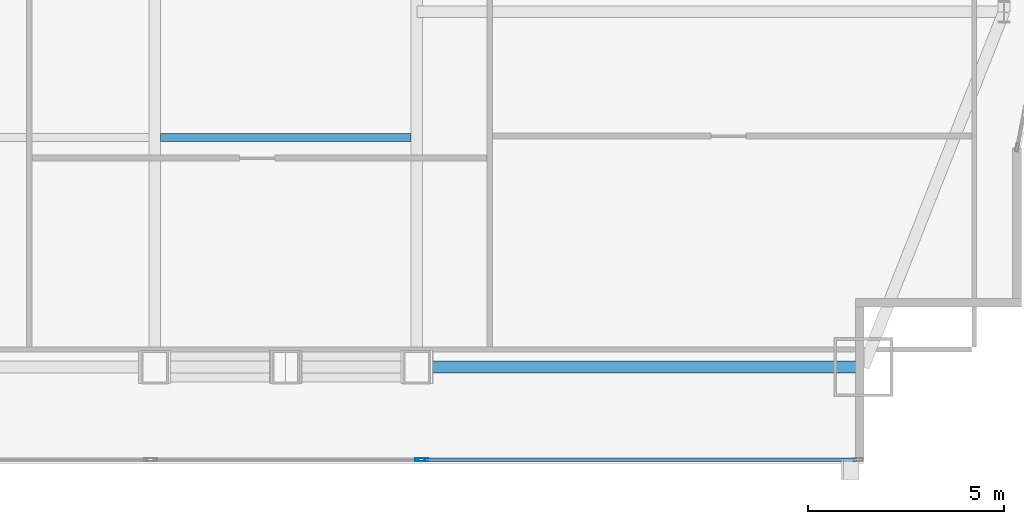
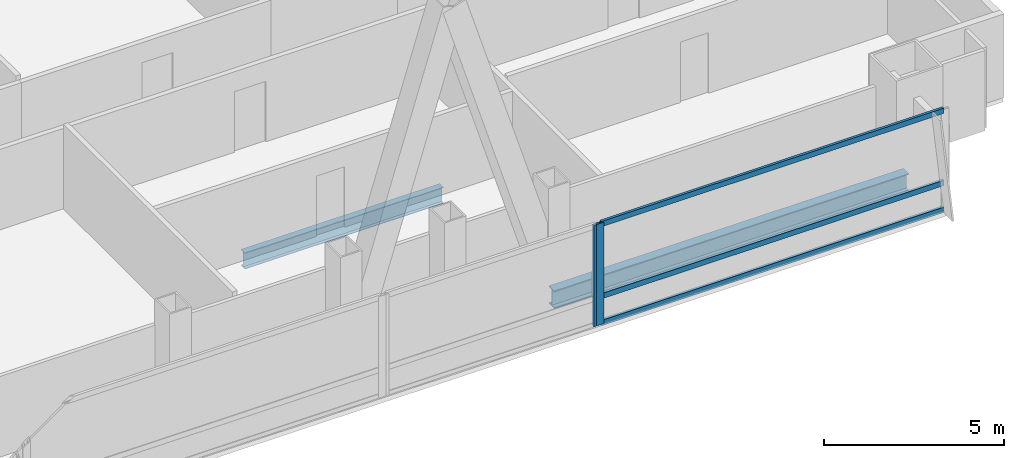
# One storey, part 15 of 33: 5 members, 2 beams, 2 elements without a shape of their own.
"""IFC4 building model written with IfcOpenShell, lengths in metres."""

import ifcopenshell
import ifcopenshell.guid

model = None  # the IFC model being written
_history = None  # IfcOwnerHistory: only IFC2X3 demands one
_inside = {}  # id of a spatial element -> (the spatial element, [elements in it])
_under = {}  # id of a project, library or spatial element -> (it, [spatial elements below it])
_declared = {}  # id of a project -> (the project, [libraries it declares])
_typed = {}  # id of a type object -> (the type object, [elements of that type])
_made_of = {}  # id of a material, layer set ... -> (it, [elements and type objects made of it])


def new_model(schema):
    """Start an empty IFC model of exactly this schema.

    Asked for "IFC4X3", IfcOpenShell would pick the latest addendum, in which some entities
    have other attributes; the version numbers below select the first issue.
    IFC2X3 requires an IfcOwnerHistory on every rooted entity: one is made here for all.
    """
    global model, _history
    if schema == "IFC4X3":
        model = ifcopenshell.file(schema_version=(4, 3, 0, 0))
    else:
        model = ifcopenshell.file(schema=schema)
    _inside.clear()
    _under.clear()
    _declared.clear()
    _typed.clear()
    _made_of.clear()
    _history = None
    if model.schema == "IFC2X3":
        org = make("IfcOrganization", Name="unknown")
        user = make(
            "IfcPersonAndOrganization",
            ThePerson=make("IfcPerson", FamilyName="unknown"),
            TheOrganization=org,
        )
        app = make(
            "IfcApplication",
            ApplicationDeveloper=org,
            Version="unknown",
            ApplicationFullName="unknown",
            ApplicationIdentifier="unknown",
        )
        _history = make(
            "IfcOwnerHistory",
            OwningUser=user,
            OwningApplication=app,
            ChangeAction="ADDED",
            CreationDate=0,
        )
    return model


def make(cls, **values):
    """One entity of the class cls with the attributes given. An attribute that is None is left unset."""
    return model.create_entity(
        cls, **{name: value for name, value in values.items() if value is not None}
    )


def rooted(cls, **values):
    """An entity with a GlobalId (a new one), such as an element, a storey or a relation."""
    return make(cls, GlobalId=ifcopenshell.guid.new(), OwnerHistory=_history, **values)


def si_unit(unit_type, name, prefix=None):
    """IfcSIUnit, for example si_unit("LENGTHUNIT", "METRE", prefix="MILLI")."""
    return make("IfcSIUnit", UnitType=unit_type, Prefix=prefix, Name=name)


def assignment(units):
    """IfcUnitAssignment: the units of a project."""
    return None if units is None else make("IfcUnitAssignment", Units=units)


def point(xyz):
    """IfcCartesianPoint."""
    return None if xyz is None else make("IfcCartesianPoint", Coordinates=xyz)


def direction(xyz):
    """IfcDirection."""
    return None if xyz is None else make("IfcDirection", DirectionRatios=xyz)


def frame(location, z_axis=None, x_axis=None):
    """IfcAxis2Placement3D, a coordinate frame: its origin and axes. An axis left out is left unset."""
    return make(
        "IfcAxis2Placement3D",
        Location=point(location),
        Axis=direction(z_axis),
        RefDirection=direction(x_axis),
    )


def frame_2d(location, x_axis=None):
    """IfcAxis2Placement2D, a coordinate frame in the plane: its origin and x axis."""
    return make(
        "IfcAxis2Placement2D", Location=point(location), RefDirection=direction(x_axis)
    )


def origin():
    """The frame at (0, 0, 0) with its axes left unset."""
    return frame((0.0, 0.0, 0.0))


def origin_2d():
    """The frame at (0, 0) in the plane with its x axis left unset."""
    return frame_2d((0.0, 0.0))


def place(relative_to, where):
    """IfcLocalPlacement: puts the frame where relative to a parent placement (None: the world)."""
    return make(
        "IfcLocalPlacement", PlacementRelTo=relative_to, RelativePlacement=where
    )


def context(
    kind, dimensions, precision=None, world=None, true_north=None, identifier=None
):
    """IfcGeometricRepresentationContext, for example the 3D "Model" context."""
    return make(
        "IfcGeometricRepresentationContext",
        ContextIdentifier=identifier,
        ContextType=kind,
        CoordinateSpaceDimension=dimensions,
        Precision=precision,
        WorldCoordinateSystem=world,
        TrueNorth=true_north,
    )


def subcontext(parent, identifier, kind, view, scale=None):
    """IfcGeometricRepresentationSubContext, for example "Body" below "Model"."""
    return make(
        "IfcGeometricRepresentationSubContext",
        ContextIdentifier=identifier,
        ContextType=kind,
        ParentContext=parent,
        TargetScale=scale,
        TargetView=view,
    )


def project(units=None, contexts=None):
    """IfcProject with its units and contexts."""
    return rooted(
        "IfcProject",
        Name="project",
        RepresentationContexts=contexts,
        UnitsInContext=assignment(units),
    )


def spatial(cls, under=None, at=None, **own):
    """A site, building, storey or space (cls), placed at a placement, below another one or the project."""
    s = rooted(cls, ObjectPlacement=at, **own)
    if under is not None:
        _under.setdefault(under.id(), (under, []))[1].append(s)
    return s


def profile(cls, at=None, kind="AREA", **sizes):
    """A parametric profile (cls). Its sizes go by their IFC names, for example OverallWidth=200.0."""
    return make(cls, ProfileType=kind, Position=at, **sizes)


def hollow_rectangle(**sizes):
    """IfcRectangleHollowProfileDef."""
    return profile("IfcRectangleHollowProfileDef", **sizes)


def i_section(**sizes):
    """IfcIShapeProfileDef."""
    return profile("IfcIShapeProfileDef", **sizes)


def extrude(swept, where, along, depth):
    """IfcExtrudedAreaSolid: the profile swept, set in the frame where, extruded along a direction by depth."""
    return make(
        "IfcExtrudedAreaSolid",
        SweptArea=swept,
        Position=where,
        ExtrudedDirection=direction(along),
        Depth=depth,
    )


def shape(context_of_items, identifier, shape_type, items):
    """IfcShapeRepresentation: the items that make up one representation, for example the "Body"."""
    return make(
        "IfcShapeRepresentation",
        ContextOfItems=context_of_items,
        RepresentationIdentifier=identifier,
        RepresentationType=shape_type,
        Items=items,
    )


def material(Name=None, Category=None):
    """IfcMaterial."""
    return make("IfcMaterial", Name=Name, Category=Category)


def material_profile(
    of_material, cross_section, Name=None, Category=None, Priority=None
):
    """IfcMaterialProfile: a cross section and its material."""
    return make(
        "IfcMaterialProfile",
        Name=Name,
        Material=of_material,
        Profile=cross_section,
        Priority=Priority,
        Category=Category,
    )


def profile_set(profiles, Name=None, composite=None):
    """IfcMaterialProfileSet."""
    return make(
        "IfcMaterialProfileSet",
        Name=Name,
        MaterialProfiles=profiles,
        CompositeProfile=composite,
    )


def made_of(thing, what):
    """Note that an element or type object is made of a material, layer set ...; save() writes the relation."""
    if what is not None:
        _made_of.setdefault(what.id(), (what, []))[1].append(thing)
    return thing


def type_object(cls, material=None, **own):
    """A type object (cls), such as IfcWallType, which elements share."""
    return made_of(rooted(cls, **own), material)


def element(
    cls,
    number,
    at=None,
    inside=None,
    cuts=None,
    type_object=None,
    material=None,
    context=None,
    identifier="Body",
    shape_type=None,
    held_by="IfcProductDefinitionShape",
    body=None,
    shapes=None,
    **own,
):
    """One element of the class cls, such as IfcWall. Its Tag is "e" and its number.

    at: its placement. inside: the storey or other place that contains it. cuts: it is an
    opening in that element (IfcRelVoidsElement). A single representation is given by context,
    identifier, shape_type and body (its items); several are given by shapes. held_by: the class
    of the entity that holds the representations. save() writes the other relations.
    """
    e = rooted(cls, Tag="e%d" % number, ObjectPlacement=at, **own)
    if body is not None:
        shapes = [shape(context, identifier, shape_type, body)]
    if shapes is not None:
        e.Representation = make(held_by, Representations=shapes)
    if inside is not None:
        _inside.setdefault(inside.id(), (inside, []))[1].append(e)
    if cuts is not None:
        rooted(
            "IfcRelVoidsElement", RelatingBuildingElement=cuts, RelatedOpeningElement=e
        )
    if type_object is not None:
        _typed.setdefault(type_object.id(), (type_object, []))[1].append(e)
    return made_of(e, material)


def aggregate(whole, parts):
    """IfcRelAggregates: a whole, such as a stair, and the parts it consists of."""
    return rooted("IfcRelAggregates", RelatingObject=whole, RelatedObjects=parts)


def save(model, path):
    """Write the relations noted so far, then the file.

    IfcRelAggregates (storeys below a building ...), IfcRelContainedInSpatialStructure (elements
    in a storey), IfcRelDefinesByType, IfcRelAssociatesMaterial and IfcRelDeclares: one each for
    every whole, place, type object, material and project.
    """
    for whole, parts in _under.values():
        aggregate(whole, parts)
    for where, things in _inside.values():
        rooted(
            "IfcRelContainedInSpatialStructure",
            RelatedElements=things,
            RelatingStructure=where,
        )
    for kind, things in _typed.values():
        rooted("IfcRelDefinesByType", RelatedObjects=things, RelatingType=kind)
    for what, things in _made_of.values():
        rooted("IfcRelAssociatesMaterial", RelatedObjects=things, RelatingMaterial=what)
    for by, libraries in _declared.values():
        rooted("IfcRelDeclares", RelatingContext=by, RelatedDefinitions=libraries)
    model.write(path)


model = new_model("IFC4")

# Units and contexts
model_context = context("Model", 3, precision=1e-05, world=origin(), true_north=direction((0.0, 1.0)))
body_context = subcontext(model_context, "Body", "Model", "MODEL_VIEW")
ifc_project = project(units=[si_unit("LENGTHUNIT", "METRE"), si_unit("AREAUNIT", "SQUARE_METRE"), si_unit("VOLUMEUNIT", "CUBIC_METRE"), si_unit("PLANEANGLEUNIT", "RADIAN"), si_unit("MASSUNIT", "GRAM", prefix="KILO")], contexts=[model_context])

# Site, building, storey
site_placement = place(None, origin())
site = spatial("IfcSite", under=ifc_project, at=site_placement, CompositionType="ELEMENT")
building_placement = place(site_placement, origin())
building = spatial("IfcBuilding", under=site, at=building_placement, Name="Khoronbel Lancet Exchange", CompositionType="ELEMENT")
storey_placement = place(building_placement, frame((0.0, 0.0, 118.199951171875)))
storey = spatial("IfcBuildingStorey", under=building, at=storey_placement, Name="L28", CompositionType="ELEMENT", Elevation=118.199951171875)

# Beams
ifc_material_1 = material(Name="Steel S355", Category="steel")
ifc_material_profile_1 = material_profile(ifc_material_1, i_section(OverallWidth=0.2099609375, OverallDepth=0.550048828125, WebThickness=0.010986328125, FlangeThickness=0.01708984375, at=origin_2d()), Name="IPE 550")
ifc_profile_set_1 = profile_set([ifc_material_profile_1], Name="Steel S355")
beam_type_1 = type_object("IfcBeamType", Name="BM-BJ2", PredefinedType="JOIST", material=ifc_profile_set_1)
beam_1_placement = place(storey_placement, frame((48.14990234375, 16.0, -0.43505859375), z_axis=(1.0, 0.0, 0.0), x_axis=(0.0, 1.0, 0.0)))
element("IfcBeam", 1, at=beam_1_placement, inside=storey, type_object=beam_type_1, Name="Level L28 secondary composite joist J05", PredefinedType="JOIST", context=body_context, shape_type="SweptSolid", body=[
    extrude(i_section(OverallWidth=0.2099609375, OverallDepth=0.550048828125, WebThickness=0.010986328125, FlangeThickness=0.01708984375, at=origin_2d()), origin(), (0.0, 0.0, 1.0), 6.375),
])
ifc_material_profile_2 = material_profile(ifc_material_1, i_section(OverallWidth=0.300048828125, OverallDepth=0.60009765625, WebThickness=0.015380859375, FlangeThickness=0.030029296875, at=origin_2d()), Name="HEB 600")
ifc_profile_set_2 = profile_set([ifc_material_profile_2], Name="Steel S355")
beam_type_2 = type_object("IfcBeamType", Name="BM-BSP2", PredefinedType="SPANDREL", material=ifc_profile_set_2)
beam_2_placement = place(storey_placement, frame((54.675048828125, 10.14990234375, -0.4599609375), z_axis=(1.0, 0.0, 0.0), x_axis=(0.0, 1.0, 0.0)))
element("IfcBeam", 2, at=beam_2_placement, inside=storey, type_object=beam_type_2, Name="Level L28 perimeter spandrel beam SP09", PredefinedType="SPANDREL", context=body_context, shape_type="SweptSolid", body=[
    extrude(i_section(OverallWidth=0.300048828125, OverallDepth=0.60009765625, WebThickness=0.015380859375, FlangeThickness=0.030029296875, at=origin_2d()), origin(), (0.0, 0.0, 1.0), 11.375),
])

# Curtain wall, member
ifc_material_2 = material(Name="Low-E Solar Control Insulating Glass", Category="glass")
curtain_wall_type = type_object("IfcCurtainWallType", Name="CW-2", PredefinedType="NOTDEFINED", material=ifc_material_2)
curtain_wall_1_placement = place(storey_placement, origin())
curtain_wall_1 = element("IfcCurtainWall", 3, at=curtain_wall_1_placement, inside=storey, type_object=curtain_wall_type, Name="Unitised curtain wall CW-L28-SEB", PredefinedType="NOTDEFINED")
ifc_material_3 = material(Name="Bronze-Anodised Aluminium 6063-T6", Category="aluminium")
ifc_material_profile_3 = material_profile(ifc_material_3, hollow_rectangle(XDim=0.0849609375, YDim=0.239990234375, WallThickness=0.006103515625, at=origin_2d()), Name="ALU MULLION 85x240")
ifc_profile_set_3 = profile_set([ifc_material_profile_3], Name="Bronze-Anodised Aluminium 6063-T6")
member_type_1 = type_object("IfcMemberType", Name="MEM-CWM1", PredefinedType="MULLION", material=ifc_profile_set_3)
member_1_placement = place(storey_placement, frame((54.757568359375, 7.7900390625, 0.0), z_axis=(0.0, 0.0, 1.0), x_axis=(0.0, 1.0, 0.0)))
member_1 = element("IfcMember", 4, at=member_1_placement, type_object=member_type_1, Name="CW2 mullion 2", PredefinedType="MULLION", context=body_context, shape_type="SweptSolid", body=[
    extrude(hollow_rectangle(XDim=0.0849609375, YDim=0.239990234375, WallThickness=0.006103515625, at=origin_2d()), origin(), (0.0, 0.0, 1.0), 3.43994140625),
])
aggregate(curtain_wall_1, [member_1])

# Curtain wall, members
curtain_wall_2_placement = place(storey_placement, origin())
curtain_wall_2 = element("IfcCurtainWall", 5, at=curtain_wall_2_placement, inside=storey, type_object=curtain_wall_type, Name="Unitised curtain wall CW-L28-SEV", PredefinedType="NOTDEFINED")
member_2_placement = place(storey_placement, frame((54.842529296875, 7.7900390625, 0.0), z_axis=(0.0, 0.0, 1.0), x_axis=(0.0, 1.0, 0.0)))
member_2 = element("IfcMember", 6, at=member_2_placement, type_object=member_type_1, Name="CW2 mullion 1", PredefinedType="MULLION", context=body_context, shape_type="SweptSolid", body=[
    extrude(hollow_rectangle(XDim=0.0849609375, YDim=0.239990234375, WallThickness=0.006103515625, at=origin_2d()), origin(), (0.0, 0.0, 1.0), 3.43994140625),
])
ifc_material_profile_4 = material_profile(ifc_material_3, hollow_rectangle(XDim=0.0849609375, YDim=0.179931640625, WallThickness=0.0048828125, at=origin_2d()), Name="ALU TRANSOM 85x180")
ifc_profile_set_4 = profile_set([ifc_material_profile_4], Name="Bronze-Anodised Aluminium 6063-T6")
member_type_2 = type_object("IfcMemberType", Name="MEM-CWT1", PredefinedType="USERDEFINED", material=ifc_profile_set_4)
member_3_placement = place(storey_placement, frame((54.885009765625, 7.7900390625, 0.04248046875), z_axis=(1.0, 0.0, 0.0), x_axis=(0.0, 1.0, 0.0)))
member_3 = element("IfcMember", 7, at=member_3_placement, type_object=member_type_2, Name="CW2 transom 1.1", ObjectType="TRANSOM", PredefinedType="USERDEFINED", context=body_context, shape_type="SweptSolid", body=[
    extrude(hollow_rectangle(XDim=0.0849609375, YDim=0.179931640625, WallThickness=0.0048828125, at=origin_2d()), origin(), (0.0, 0.0, 1.0), 10.989990234375),
])
member_4_placement = place(storey_placement, frame((54.885009765625, 7.7900390625, 0.949951171875), z_axis=(1.0, 0.0, 0.0), x_axis=(0.0, 1.0, 0.0)))
member_4 = element("IfcMember", 8, at=member_4_placement, type_object=member_type_2, Name="CW2 transom 1.2", ObjectType="TRANSOM", PredefinedType="USERDEFINED", context=body_context, shape_type="SweptSolid", body=[
    extrude(hollow_rectangle(XDim=0.0849609375, YDim=0.179931640625, WallThickness=0.0048828125, at=origin_2d()), origin(), (0.0, 0.0, 1.0), 10.989990234375),
])
member_5_placement = place(storey_placement, frame((54.885009765625, 7.7900390625, 3.3974609375), z_axis=(1.0, 0.0, 0.0), x_axis=(0.0, 1.0, 0.0)))
member_5 = element("IfcMember", 9, at=member_5_placement, type_object=member_type_2, Name="CW2 transom 1.3", ObjectType="TRANSOM", PredefinedType="USERDEFINED", context=body_context, shape_type="SweptSolid", body=[
    extrude(hollow_rectangle(XDim=0.0849609375, YDim=0.179931640625, WallThickness=0.0048828125, at=origin_2d()), origin(), (0.0, 0.0, 1.0), 10.989990234375),
])
aggregate(curtain_wall_2, [member_2, member_3, member_4, member_5])

save(model, "model.ifc")
